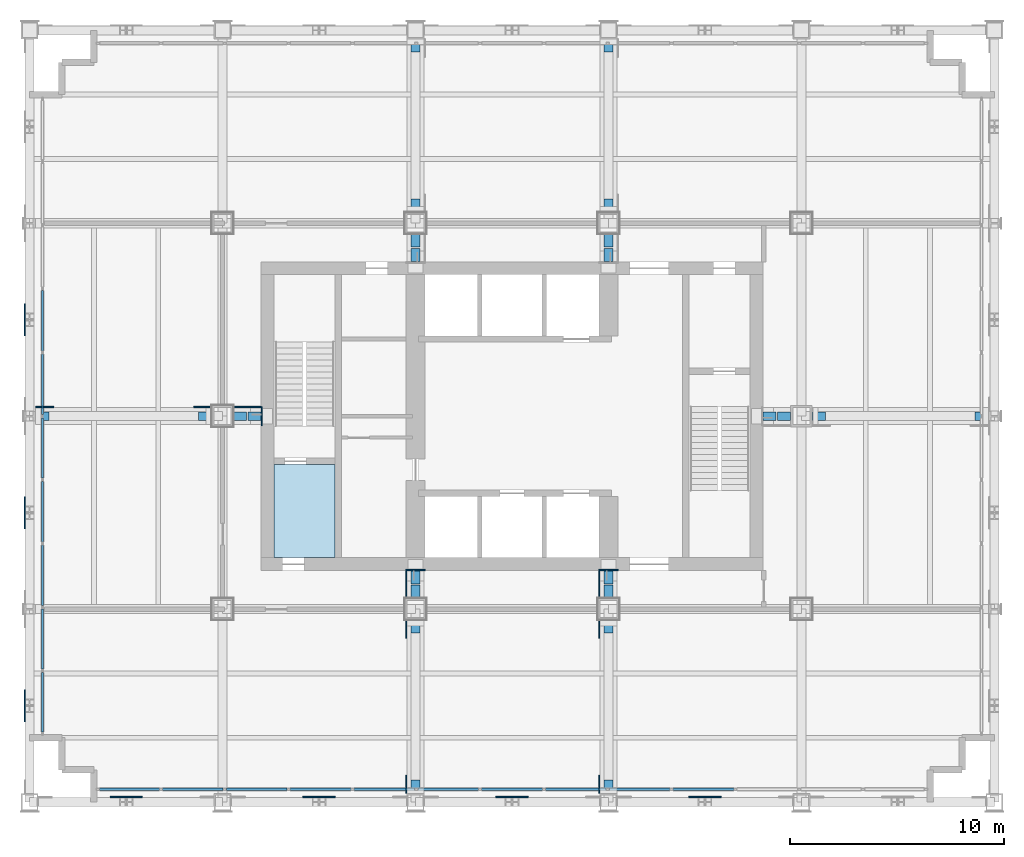
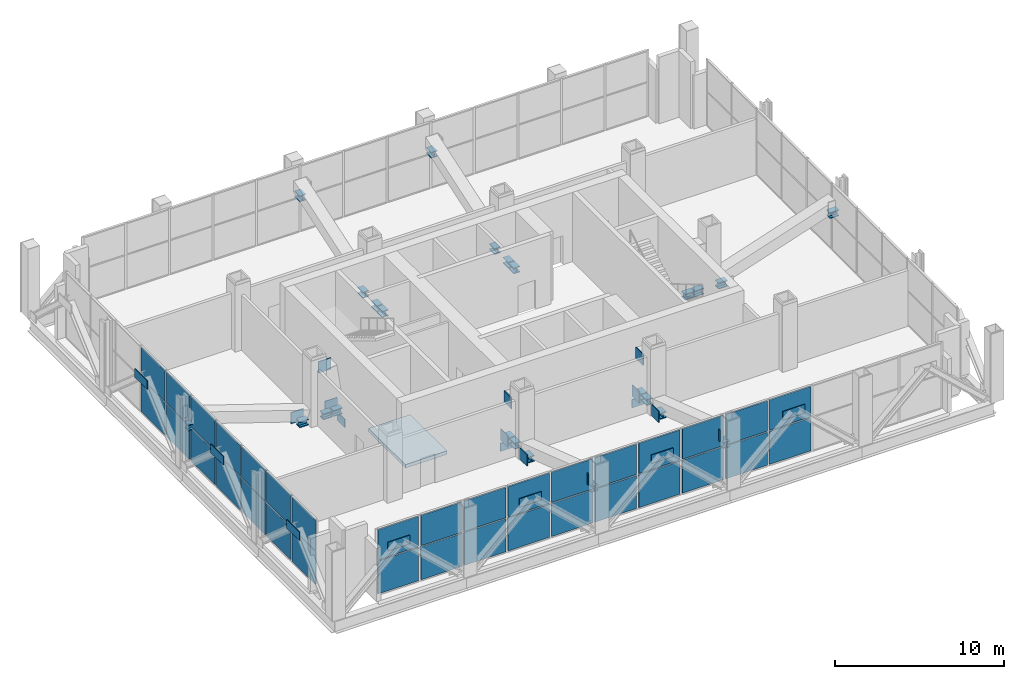
# One storey, part 9 of 16: 56 plates, 24 members, 1 slab, 2 elements without a shape of their own.
"""IFC4 building model written with IfcOpenShell, lengths in metres."""

from ifc_helpers import new_model, si_unit, direction, frame, origin, origin_2d, place, context, subcontext, project, spatial, polyline, rectangle, i_section, outline, extrude, material, layer, layer_set, material_profile, profile_set, type_object, element, aggregate, save


model = new_model("IFC4")

# Units and contexts
model_context = context("Model", 3, precision=1e-05, world=origin(), true_north=direction((0.0, 1.0)))
body_context = subcontext(model_context, "Body", "Model", "MODEL_VIEW")
ifc_project = project(units=[si_unit("LENGTHUNIT", "METRE"), si_unit("AREAUNIT", "SQUARE_METRE"), si_unit("VOLUMEUNIT", "CUBIC_METRE"), si_unit("PLANEANGLEUNIT", "RADIAN"), si_unit("MASSUNIT", "GRAM", prefix="KILO")], contexts=[model_context])

# Site, building, storey
site_placement = place(None, origin())
site = spatial("IfcSite", under=ifc_project, at=site_placement, CompositionType="ELEMENT")
building_placement = place(site_placement, origin())
building = spatial("IfcBuilding", under=site, at=building_placement, Name="Loomwork Tower", CompositionType="ELEMENT")
storey_placement = place(building_placement, frame((0.0, 0.0, 155.39990234375)))
storey = spatial("IfcBuildingStorey", under=building, at=storey_placement, Name="L42", CompositionType="ELEMENT", Elevation=155.39990234375)

# Members
ifc_material_1 = material(Name="Steel ASTM A992", Category="steel")
ifc_material_profile = material_profile(ifc_material_1, i_section(OverallWidth=0.411376953125, OverallDepth=0.434326171875, WebThickness=0.035888671875, FlangeThickness=0.057373046875, at=origin_2d()), Name="W14x311")
ifc_profile_set = profile_set([ifc_material_profile], Name="Steel ASTM A992")
member_type = type_object("IfcMemberType", Name="OUTRIGGER GUSSET CORBEL W14x311", PredefinedType="STRUT", material=ifc_profile_set)
member_1_placement = place(storey_placement, frame((0.2783203125, 18.0, 2.65283203125), z_axis=(1.0, 0.0, 0.0), x_axis=(0.0, 1.0, 0.0)))
element("IfcMember", 1, at=member_1_placement, inside=storey, type_object=member_type, Name="Outrigger upper gusset corbel F/2/0 L42", PredefinedType="STRUT", context=body_context, shape_type="SweptSolid", body=[
    extrude(i_section(OverallWidth=0.411376953125, OverallDepth=0.434326171875, WebThickness=0.035888671875, FlangeThickness=0.057373046875, at=origin_2d()), origin(), (0.0, 0.0, 1.0), 0.615966796875),
])
for number, where, z_axis, x_axis, name in (
    (2, (8.49609375, 18.0, 0.227294921875), (-1.0, 0.0, 0.0), (0.0, -1.0, 0.0), "Outrigger lower gusset corbel F/2/0 L42"),
    (3, (9.50390625, 18.0, 0.229248046875), (1.0, 0.0, 0.0), (0.0, 1.0, 0.0), "Outrigger upper gusset corbel F/3/1 L42"),
):
    element("IfcMember", number, at=place(storey_placement, frame(where, z_axis=z_axis, x_axis=x_axis)), inside=storey, type_object=member_type, Name=name, PredefinedType="STRUT", context=body_context, shape_type="SweptSolid", body=[
        extrude(i_section(OverallWidth=0.411376953125, OverallDepth=0.434326171875, WebThickness=0.035888671875, FlangeThickness=0.057373046875, at=origin_2d()), origin(), (0.0, 0.0, 1.0), 0.6162109375),
    ])
for number, where, z_axis, x_axis, name in (
    (4, (10.7958984375, 18.0, 0.227294921875), (-1.0, 0.0, 0.0), (0.0, -1.0, 0.0), "Outrigger lower gusset corbel F/3/1 L42"),
    (5, (44.7216796875, 18.0, 2.65283203125), (-1.0, 0.0, 0.0), (0.0, -1.0, 0.0), "Outrigger upper gusset corbel F/7/0 L42"),
):
    element("IfcMember", number, at=place(storey_placement, frame(where, z_axis=z_axis, x_axis=x_axis)), inside=storey, type_object=member_type, Name=name, PredefinedType="STRUT", context=body_context, shape_type="SweptSolid", body=[
        extrude(i_section(OverallWidth=0.411376953125, OverallDepth=0.434326171875, WebThickness=0.035888671875, FlangeThickness=0.057373046875, at=origin_2d()), origin(), (0.0, 0.0, 1.0), 0.615966796875),
    ])
for number, where, z_axis, x_axis, name in (
    (6, (36.50390625, 18.0, 0.227294921875), (1.0, 0.0, 0.0), (0.0, 1.0, 0.0), "Outrigger lower gusset corbel F/7/0 L42"),
    (7, (35.49609375, 18.0, 0.229248046875), (-1.0, 0.0, 0.0), (0.0, -1.0, 0.0), "Outrigger upper gusset corbel F/6/1 L42"),
):
    element("IfcMember", number, at=place(storey_placement, frame(where, z_axis=z_axis, x_axis=x_axis)), inside=storey, type_object=member_type, Name=name, PredefinedType="STRUT", context=body_context, shape_type="SweptSolid", body=[
        extrude(i_section(OverallWidth=0.411376953125, OverallDepth=0.434326171875, WebThickness=0.035888671875, FlangeThickness=0.057373046875, at=origin_2d()), origin(), (0.0, 0.0, 1.0), 0.6162109375),
    ])
for number, where, z_axis, x_axis, name in (
    (8, (34.2041015625, 18.0, 0.227294921875), (1.0, 0.0, 0.0), (0.0, 1.0, 0.0), "Outrigger lower gusset corbel F/6/1 L42"),
    (9, (18.0, 0.404052734375, 2.65087890625), (0.0, 1.0, 0.0), (-1.0, 0.0, 0.0), "Outrigger upper gusset corbel D/4/0 L42"),
):
    element("IfcMember", number, at=place(storey_placement, frame(where, z_axis=z_axis, x_axis=x_axis)), inside=storey, type_object=member_type, Name=name, PredefinedType="STRUT", context=body_context, shape_type="SweptSolid", body=[
        extrude(i_section(OverallWidth=0.411376953125, OverallDepth=0.434326171875, WebThickness=0.035888671875, FlangeThickness=0.057373046875, at=origin_2d()), origin(), (0.0, 0.0, 1.0), 0.615966796875),
    ])
for number, where, z_axis, x_axis, name in (
    (10, (18.0, 8.49609375, 0.227294921875), (0.0, -1.0, 0.0), (1.0, 0.0, 0.0), "Outrigger lower gusset corbel D/4/0 L42"),
    (11, (18.0, 9.50390625, 0.229248046875), (0.0, 1.0, 0.0), (-1.0, 0.0, 0.0), "Outrigger upper gusset corbel E/4/1 L42"),
):
    element("IfcMember", number, at=place(storey_placement, frame(where, z_axis=z_axis, x_axis=x_axis)), inside=storey, type_object=member_type, Name=name, PredefinedType="STRUT", context=body_context, shape_type="SweptSolid", body=[
        extrude(i_section(OverallWidth=0.411376953125, OverallDepth=0.434326171875, WebThickness=0.035888671875, FlangeThickness=0.057373046875, at=origin_2d()), origin(), (0.0, 0.0, 1.0), 0.6162109375),
    ])
for number, where, z_axis, x_axis, name in (
    (12, (18.0, 10.7958984375, 0.227294921875), (0.0, -1.0, 0.0), (1.0, 0.0, 0.0), "Outrigger lower gusset corbel E/4/1 L42"),
    (13, (18.0, 35.595947265625, 2.65087890625), (0.0, -1.0, 0.0), (1.0, 0.0, 0.0), "Outrigger upper gusset corbel H/4/0 L42"),
):
    element("IfcMember", number, at=place(storey_placement, frame(where, z_axis=z_axis, x_axis=x_axis)), inside=storey, type_object=member_type, Name=name, PredefinedType="STRUT", context=body_context, shape_type="SweptSolid", body=[
        extrude(i_section(OverallWidth=0.411376953125, OverallDepth=0.434326171875, WebThickness=0.035888671875, FlangeThickness=0.057373046875, at=origin_2d()), origin(), (0.0, 0.0, 1.0), 0.615966796875),
    ])
for number, where, z_axis, x_axis, name in (
    (14, (18.0, 27.50390625, 0.227294921875), (0.0, 1.0, 0.0), (-1.0, 0.0, 0.0), "Outrigger lower gusset corbel H/4/0 L42"),
    (15, (18.0, 26.49609375, 0.229248046875), (0.0, -1.0, 0.0), (1.0, 0.0, 0.0), "Outrigger upper gusset corbel G/4/1 L42"),
):
    element("IfcMember", number, at=place(storey_placement, frame(where, z_axis=z_axis, x_axis=x_axis)), inside=storey, type_object=member_type, Name=name, PredefinedType="STRUT", context=body_context, shape_type="SweptSolid", body=[
        extrude(i_section(OverallWidth=0.411376953125, OverallDepth=0.434326171875, WebThickness=0.035888671875, FlangeThickness=0.057373046875, at=origin_2d()), origin(), (0.0, 0.0, 1.0), 0.6162109375),
    ])
for number, where, z_axis, x_axis, name in (
    (16, (18.0, 25.2041015625, 0.227294921875), (0.0, 1.0, 0.0), (-1.0, 0.0, 0.0), "Outrigger lower gusset corbel G/4/1 L42"),
    (17, (27.0, 0.404052734375, 2.65087890625), (0.0, 1.0, 0.0), (-1.0, 0.0, 0.0), "Outrigger upper gusset corbel D/5/0 L42"),
):
    element("IfcMember", number, at=place(storey_placement, frame(where, z_axis=z_axis, x_axis=x_axis)), inside=storey, type_object=member_type, Name=name, PredefinedType="STRUT", context=body_context, shape_type="SweptSolid", body=[
        extrude(i_section(OverallWidth=0.411376953125, OverallDepth=0.434326171875, WebThickness=0.035888671875, FlangeThickness=0.057373046875, at=origin_2d()), origin(), (0.0, 0.0, 1.0), 0.615966796875),
    ])
for number, where, z_axis, x_axis, name in (
    (18, (27.0, 8.49609375, 0.227294921875), (0.0, -1.0, 0.0), (1.0, 0.0, 0.0), "Outrigger lower gusset corbel D/5/0 L42"),
    (19, (27.0, 9.50390625, 0.229248046875), (0.0, 1.0, 0.0), (-1.0, 0.0, 0.0), "Outrigger upper gusset corbel E/5/1 L42"),
):
    element("IfcMember", number, at=place(storey_placement, frame(where, z_axis=z_axis, x_axis=x_axis)), inside=storey, type_object=member_type, Name=name, PredefinedType="STRUT", context=body_context, shape_type="SweptSolid", body=[
        extrude(i_section(OverallWidth=0.411376953125, OverallDepth=0.434326171875, WebThickness=0.035888671875, FlangeThickness=0.057373046875, at=origin_2d()), origin(), (0.0, 0.0, 1.0), 0.6162109375),
    ])
for number, where, z_axis, x_axis, name in (
    (20, (27.0, 10.7958984375, 0.227294921875), (0.0, -1.0, 0.0), (1.0, 0.0, 0.0), "Outrigger lower gusset corbel E/5/1 L42"),
    (21, (27.0, 35.595947265625, 2.65087890625), (0.0, -1.0, 0.0), (1.0, 0.0, 0.0), "Outrigger upper gusset corbel H/5/0 L42"),
):
    element("IfcMember", number, at=place(storey_placement, frame(where, z_axis=z_axis, x_axis=x_axis)), inside=storey, type_object=member_type, Name=name, PredefinedType="STRUT", context=body_context, shape_type="SweptSolid", body=[
        extrude(i_section(OverallWidth=0.411376953125, OverallDepth=0.434326171875, WebThickness=0.035888671875, FlangeThickness=0.057373046875, at=origin_2d()), origin(), (0.0, 0.0, 1.0), 0.615966796875),
    ])
for number, where, z_axis, x_axis, name in (
    (22, (27.0, 27.50390625, 0.227294921875), (0.0, 1.0, 0.0), (-1.0, 0.0, 0.0), "Outrigger lower gusset corbel H/5/0 L42"),
    (23, (27.0, 26.49609375, 0.229248046875), (0.0, -1.0, 0.0), (1.0, 0.0, 0.0), "Outrigger upper gusset corbel G/5/1 L42"),
):
    element("IfcMember", number, at=place(storey_placement, frame(where, z_axis=z_axis, x_axis=x_axis)), inside=storey, type_object=member_type, Name=name, PredefinedType="STRUT", context=body_context, shape_type="SweptSolid", body=[
        extrude(i_section(OverallWidth=0.411376953125, OverallDepth=0.434326171875, WebThickness=0.035888671875, FlangeThickness=0.057373046875, at=origin_2d()), origin(), (0.0, 0.0, 1.0), 0.6162109375),
    ])
member_2_placement = place(storey_placement, frame((27.0, 25.2041015625, 0.227294921875), z_axis=(0.0, 1.0, 0.0), x_axis=(-1.0, 0.0, 0.0)))
element("IfcMember", 24, at=member_2_placement, inside=storey, type_object=member_type, Name="Outrigger lower gusset corbel G/5/1 L42", PredefinedType="STRUT", context=body_context, shape_type="SweptSolid", body=[
    extrude(i_section(OverallWidth=0.411376953125, OverallDepth=0.434326171875, WebThickness=0.035888671875, FlangeThickness=0.057373046875, at=origin_2d()), origin(), (0.0, 0.0, 1.0), 0.615966796875),
])

# Slab
ifc_material_2 = material(Name="Concrete 5000 psi (34 MPa) on composite metal deck", Category="concrete")
ifc_layer_1 = layer(ifc_material_2, 0.25)
ifc_layer_set_1 = layer_set([ifc_layer_1], Name="Floor slab 250")
slab_type = type_object("IfcSlabType", Name="Floor slab 250", PredefinedType="FLOOR", material=ifc_layer_set_1)
slab_placement = place(storey_placement, frame((0.0, 0.0, -0.25)))
element("IfcSlab", 25, at=slab_placement, inside=storey, type_object=slab_type, Name="Floor slab L42", PredefinedType="FLOOR", context=body_context, shape_type="SweptSolid", body=[
    extrude(outline(polyline([(14.25, 15.75), (14.25, 11.39990234375), (11.39990234375, 11.39990234375), (11.39990234375, 15.75), (14.25, 15.75)])), origin(), (0.0, 0.0, 1.0), 0.25),
])

# Curtain wall, plates
ifc_material_3 = material(Name="Aluminium louvre frame", Category="aluminium")
curtain_wall_type = type_object("IfcCurtainWallType", Name="Plant floor louvre screen", PredefinedType="NOTDEFINED", material=ifc_material_3)
curtain_wall_1_placement = place(storey_placement, origin())
curtain_wall_1 = element("IfcCurtainWall", 26, at=curtain_wall_1_placement, inside=storey, type_object=curtain_wall_type, Name="Plant floor louvre screen cw/S", PredefinedType="NOTDEFINED")
ifc_material_4 = material(Name="Aluminium louvre blade panel", Category="aluminium")
ifc_layer_2 = layer(ifc_material_4, 0.10009765625)
ifc_layer_set_2 = layer_set([ifc_layer_2], Name="Plant floor louvre screen panel")
plate_type_1 = type_object("IfcPlateType", Name="Plant floor louvre screen panel", PredefinedType="CURTAIN_PANEL", material=ifc_layer_set_2)
plate_1_placement = place(storey_placement, frame((4.658447265625, 0.60009765625, 0.080078125), z_axis=(0.0, 0.0, 1.0), x_axis=(1.0, 0.0, 0.0)))
plate_1 = element("IfcPlate", 27, at=plate_1_placement, type_object=plate_type_1, Name="CW4 panel 1.1", PredefinedType="CURTAIN_PANEL", context=body_context, shape_type="SweptSolid", body=[
    extrude(rectangle(XDim=2.786865234375, YDim=0.10009765625, at=origin_2d()), origin(), (0.0, 0.0, 1.0), 2.3798828125),
])
plate_2_placement = place(storey_placement, frame((4.658447265625, 0.60009765625, 2.5400390625), z_axis=(0.0, 0.0, 1.0), x_axis=(1.0, 0.0, 0.0)))
plate_2 = element("IfcPlate", 28, at=plate_2_placement, type_object=plate_type_1, Name="CW4 panel 1.2", PredefinedType="CURTAIN_PANEL", context=body_context, shape_type="SweptSolid", body=[
    extrude(rectangle(XDim=2.786865234375, YDim=0.10009765625, at=origin_2d()), origin(), (0.0, 0.0, 1.0), 2.179931640625),
])
plate_3_placement = place(storey_placement, frame((7.615478515625, 0.60009765625, 0.080078125), z_axis=(0.0, 0.0, 1.0), x_axis=(1.0, 0.0, 0.0)))
plate_3 = element("IfcPlate", 29, at=plate_3_placement, type_object=plate_type_1, Name="CW4 panel 2.1", PredefinedType="CURTAIN_PANEL", context=body_context, shape_type="SweptSolid", body=[
    extrude(rectangle(XDim=2.826904296875, YDim=0.10009765625, at=origin_2d()), origin(), (0.0, 0.0, 1.0), 2.3798828125),
])
plate_4_placement = place(storey_placement, frame((7.615478515625, 0.60009765625, 2.5400390625), z_axis=(0.0, 0.0, 1.0), x_axis=(1.0, 0.0, 0.0)))
plate_4 = element("IfcPlate", 30, at=plate_4_placement, type_object=plate_type_1, Name="CW4 panel 2.2", PredefinedType="CURTAIN_PANEL", context=body_context, shape_type="SweptSolid", body=[
    extrude(rectangle(XDim=2.826904296875, YDim=0.10009765625, at=origin_2d()), origin(), (0.0, 0.0, 1.0), 2.179931640625),
])
plate_5_placement = place(storey_placement, frame((10.59228515625, 0.60009765625, 0.080078125), z_axis=(0.0, 0.0, 1.0), x_axis=(1.0, 0.0, 0.0)))
plate_5 = element("IfcPlate", 31, at=plate_5_placement, type_object=plate_type_1, Name="CW4 panel 3.1", PredefinedType="CURTAIN_PANEL", context=body_context, shape_type="SweptSolid", body=[
    extrude(rectangle(XDim=2.826904296875, YDim=0.10009765625, at=origin_2d()), origin(), (0.0, 0.0, 1.0), 2.3798828125),
])
plate_6_placement = place(storey_placement, frame((10.59228515625, 0.60009765625, 2.5400390625), z_axis=(0.0, 0.0, 1.0), x_axis=(1.0, 0.0, 0.0)))
plate_6 = element("IfcPlate", 32, at=plate_6_placement, type_object=plate_type_1, Name="CW4 panel 3.2", PredefinedType="CURTAIN_PANEL", context=body_context, shape_type="SweptSolid", body=[
    extrude(rectangle(XDim=2.826904296875, YDim=0.10009765625, at=origin_2d()), origin(), (0.0, 0.0, 1.0), 2.179931640625),
])
plate_7_placement = place(storey_placement, frame((13.5693359375, 0.60009765625, 0.080078125), z_axis=(0.0, 0.0, 1.0), x_axis=(1.0, 0.0, 0.0)))
plate_7 = element("IfcPlate", 33, at=plate_7_placement, type_object=plate_type_1, Name="CW4 panel 4.1", PredefinedType="CURTAIN_PANEL", context=body_context, shape_type="SweptSolid", body=[
    extrude(rectangle(XDim=2.826904296875, YDim=0.10009765625, at=origin_2d()), origin(), (0.0, 0.0, 1.0), 2.3798828125),
])
plate_8_placement = place(storey_placement, frame((13.5693359375, 0.60009765625, 2.5400390625), z_axis=(0.0, 0.0, 1.0), x_axis=(1.0, 0.0, 0.0)))
plate_8 = element("IfcPlate", 34, at=plate_8_placement, type_object=plate_type_1, Name="CW4 panel 4.2", PredefinedType="CURTAIN_PANEL", context=body_context, shape_type="SweptSolid", body=[
    extrude(rectangle(XDim=2.826904296875, YDim=0.10009765625, at=origin_2d()), origin(), (0.0, 0.0, 1.0), 2.179931640625),
])
plate_9_placement = place(storey_placement, frame((16.546142578125, 0.60009765625, 0.080078125), z_axis=(0.0, 0.0, 1.0), x_axis=(1.0, 0.0, 0.0)))
plate_9 = element("IfcPlate", 35, at=plate_9_placement, type_object=plate_type_1, Name="CW4 panel 5.1", PredefinedType="CURTAIN_PANEL", context=body_context, shape_type="SweptSolid", body=[
    extrude(rectangle(XDim=2.826904296875, YDim=0.10009765625, at=origin_2d()), origin(), (0.0, 0.0, 1.0), 2.3798828125),
])
plate_10_placement = place(storey_placement, frame((16.546142578125, 0.60009765625, 2.5400390625), z_axis=(0.0, 0.0, 1.0), x_axis=(1.0, 0.0, 0.0)))
plate_10 = element("IfcPlate", 36, at=plate_10_placement, type_object=plate_type_1, Name="CW4 panel 5.2", PredefinedType="CURTAIN_PANEL", context=body_context, shape_type="SweptSolid", body=[
    extrude(rectangle(XDim=2.826904296875, YDim=0.10009765625, at=origin_2d()), origin(), (0.0, 0.0, 1.0), 2.179931640625),
])
plate_11_placement = place(storey_placement, frame((19.523193359375, 0.60009765625, 0.080078125), z_axis=(0.0, 0.0, 1.0), x_axis=(1.0, 0.0, 0.0)))
plate_11 = element("IfcPlate", 37, at=plate_11_placement, type_object=plate_type_1, Name="CW4 panel 6.1", PredefinedType="CURTAIN_PANEL", context=body_context, shape_type="SweptSolid", body=[
    extrude(rectangle(XDim=2.826904296875, YDim=0.10009765625, at=origin_2d()), origin(), (0.0, 0.0, 1.0), 2.3798828125),
])
plate_12_placement = place(storey_placement, frame((19.523193359375, 0.60009765625, 2.5400390625), z_axis=(0.0, 0.0, 1.0), x_axis=(1.0, 0.0, 0.0)))
plate_12 = element("IfcPlate", 38, at=plate_12_placement, type_object=plate_type_1, Name="CW4 panel 6.2", PredefinedType="CURTAIN_PANEL", context=body_context, shape_type="SweptSolid", body=[
    extrude(rectangle(XDim=2.826904296875, YDim=0.10009765625, at=origin_2d()), origin(), (0.0, 0.0, 1.0), 2.179931640625),
])
plate_13_placement = place(storey_placement, frame((22.5, 0.60009765625, 0.080078125), z_axis=(0.0, 0.0, 1.0), x_axis=(1.0, 0.0, 0.0)))
plate_13 = element("IfcPlate", 39, at=plate_13_placement, type_object=plate_type_1, Name="CW4 panel 7.1", PredefinedType="CURTAIN_PANEL", context=body_context, shape_type="SweptSolid", body=[
    extrude(rectangle(XDim=2.826904296875, YDim=0.10009765625, at=origin_2d()), origin(), (0.0, 0.0, 1.0), 2.3798828125),
])
plate_14_placement = place(storey_placement, frame((22.5, 0.60009765625, 2.5400390625), z_axis=(0.0, 0.0, 1.0), x_axis=(1.0, 0.0, 0.0)))
plate_14 = element("IfcPlate", 40, at=plate_14_placement, type_object=plate_type_1, Name="CW4 panel 7.2", PredefinedType="CURTAIN_PANEL", context=body_context, shape_type="SweptSolid", body=[
    extrude(rectangle(XDim=2.826904296875, YDim=0.10009765625, at=origin_2d()), origin(), (0.0, 0.0, 1.0), 2.179931640625),
])
plate_15_placement = place(storey_placement, frame((25.476806640625, 0.60009765625, 0.080078125), z_axis=(0.0, 0.0, 1.0), x_axis=(1.0, 0.0, 0.0)))
plate_15 = element("IfcPlate", 41, at=plate_15_placement, type_object=plate_type_1, Name="CW4 panel 8.1", PredefinedType="CURTAIN_PANEL", context=body_context, shape_type="SweptSolid", body=[
    extrude(rectangle(XDim=2.826904296875, YDim=0.10009765625, at=origin_2d()), origin(), (0.0, 0.0, 1.0), 2.3798828125),
])
plate_16_placement = place(storey_placement, frame((25.476806640625, 0.60009765625, 2.5400390625), z_axis=(0.0, 0.0, 1.0), x_axis=(1.0, 0.0, 0.0)))
plate_16 = element("IfcPlate", 42, at=plate_16_placement, type_object=plate_type_1, Name="CW4 panel 8.2", PredefinedType="CURTAIN_PANEL", context=body_context, shape_type="SweptSolid", body=[
    extrude(rectangle(XDim=2.826904296875, YDim=0.10009765625, at=origin_2d()), origin(), (0.0, 0.0, 1.0), 2.179931640625),
])
plate_17_placement = place(storey_placement, frame((28.453857421875, 0.60009765625, 0.080078125), z_axis=(0.0, 0.0, 1.0), x_axis=(1.0, 0.0, 0.0)))
plate_17 = element("IfcPlate", 43, at=plate_17_placement, type_object=plate_type_1, Name="CW4 panel 9.1", PredefinedType="CURTAIN_PANEL", context=body_context, shape_type="SweptSolid", body=[
    extrude(rectangle(XDim=2.826904296875, YDim=0.10009765625, at=origin_2d()), origin(), (0.0, 0.0, 1.0), 2.3798828125),
])
plate_18_placement = place(storey_placement, frame((28.453857421875, 0.60009765625, 2.5400390625), z_axis=(0.0, 0.0, 1.0), x_axis=(1.0, 0.0, 0.0)))
plate_18 = element("IfcPlate", 44, at=plate_18_placement, type_object=plate_type_1, Name="CW4 panel 9.2", PredefinedType="CURTAIN_PANEL", context=body_context, shape_type="SweptSolid", body=[
    extrude(rectangle(XDim=2.826904296875, YDim=0.10009765625, at=origin_2d()), origin(), (0.0, 0.0, 1.0), 2.179931640625),
])
plate_19_placement = place(storey_placement, frame((31.4306640625, 0.60009765625, 0.080078125), z_axis=(0.0, 0.0, 1.0), x_axis=(1.0, 0.0, 0.0)))
plate_19 = element("IfcPlate", 45, at=plate_19_placement, type_object=plate_type_1, Name="CW4 panel 10.1", PredefinedType="CURTAIN_PANEL", context=body_context, shape_type="SweptSolid", body=[
    extrude(rectangle(XDim=2.826904296875, YDim=0.10009765625, at=origin_2d()), origin(), (0.0, 0.0, 1.0), 2.3798828125),
])
plate_20_placement = place(storey_placement, frame((31.4306640625, 0.60009765625, 2.5400390625), z_axis=(0.0, 0.0, 1.0), x_axis=(1.0, 0.0, 0.0)))
plate_20 = element("IfcPlate", 46, at=plate_20_placement, type_object=plate_type_1, Name="CW4 panel 10.2", PredefinedType="CURTAIN_PANEL", context=body_context, shape_type="SweptSolid", body=[
    extrude(rectangle(XDim=2.826904296875, YDim=0.10009765625, at=origin_2d()), origin(), (0.0, 0.0, 1.0), 2.179931640625),
])
aggregate(curtain_wall_1, [plate_1, plate_2, plate_3, plate_4, plate_5, plate_6, plate_7, plate_8, plate_9, plate_10, plate_11, plate_12, plate_13, plate_14, plate_15, plate_16, plate_17, plate_18, plate_19, plate_20])

curtain_wall_2_placement = place(storey_placement, origin())
curtain_wall_2 = element("IfcCurtainWall", 47, at=curtain_wall_2_placement, inside=storey, type_object=curtain_wall_type, Name="Plant floor louvre screen cw/W", PredefinedType="NOTDEFINED")
plate_21_placement = place(storey_placement, frame((0.60009765625, 22.455078125, 0.080078125), z_axis=(0.0, 0.0, 1.0), x_axis=(0.0, -1.0, 0.0)))
plate_21 = element("IfcPlate", 48, at=plate_21_placement, type_object=plate_type_1, Name="CW4 panel 4.1", PredefinedType="CURTAIN_PANEL", context=body_context, shape_type="SweptSolid", body=[
    extrude(rectangle(XDim=2.820068359375, YDim=0.10009765625, at=origin_2d()), origin(), (0.0, 0.0, 1.0), 2.3798828125),
])
plate_22_placement = place(storey_placement, frame((0.60009765625, 22.455078125, 2.5400390625), z_axis=(0.0, 0.0, 1.0), x_axis=(0.0, -1.0, 0.0)))
plate_22 = element("IfcPlate", 49, at=plate_22_placement, type_object=plate_type_1, Name="CW4 panel 4.2", PredefinedType="CURTAIN_PANEL", context=body_context, shape_type="SweptSolid", body=[
    extrude(rectangle(XDim=2.820068359375, YDim=0.10009765625, at=origin_2d()), origin(), (0.0, 0.0, 1.0), 2.179931640625),
])
plate_23_placement = place(storey_placement, frame((0.60009765625, 19.485107421875, 0.080078125), z_axis=(0.0, 0.0, 1.0), x_axis=(0.0, -1.0, 0.0)))
plate_23 = element("IfcPlate", 50, at=plate_23_placement, type_object=plate_type_1, Name="CW4 panel 5.1", PredefinedType="CURTAIN_PANEL", context=body_context, shape_type="SweptSolid", body=[
    extrude(rectangle(XDim=2.820068359375, YDim=0.10009765625, at=origin_2d()), origin(), (0.0, 0.0, 1.0), 2.3798828125),
])
plate_24_placement = place(storey_placement, frame((0.60009765625, 19.485107421875, 2.5400390625), z_axis=(0.0, 0.0, 1.0), x_axis=(0.0, -1.0, 0.0)))
plate_24 = element("IfcPlate", 51, at=plate_24_placement, type_object=plate_type_1, Name="CW4 panel 5.2", PredefinedType="CURTAIN_PANEL", context=body_context, shape_type="SweptSolid", body=[
    extrude(rectangle(XDim=2.820068359375, YDim=0.10009765625, at=origin_2d()), origin(), (0.0, 0.0, 1.0), 2.179931640625),
])
plate_25_placement = place(storey_placement, frame((0.60009765625, 16.514892578125, 0.080078125), z_axis=(0.0, 0.0, 1.0), x_axis=(0.0, -1.0, 0.0)))
plate_25 = element("IfcPlate", 52, at=plate_25_placement, type_object=plate_type_1, Name="CW4 panel 6.1", PredefinedType="CURTAIN_PANEL", context=body_context, shape_type="SweptSolid", body=[
    extrude(rectangle(XDim=2.820068359375, YDim=0.10009765625, at=origin_2d()), origin(), (0.0, 0.0, 1.0), 2.3798828125),
])
plate_26_placement = place(storey_placement, frame((0.60009765625, 16.514892578125, 2.5400390625), z_axis=(0.0, 0.0, 1.0), x_axis=(0.0, -1.0, 0.0)))
plate_26 = element("IfcPlate", 53, at=plate_26_placement, type_object=plate_type_1, Name="CW4 panel 6.2", PredefinedType="CURTAIN_PANEL", context=body_context, shape_type="SweptSolid", body=[
    extrude(rectangle(XDim=2.820068359375, YDim=0.10009765625, at=origin_2d()), origin(), (0.0, 0.0, 1.0), 2.179931640625),
])
plate_27_placement = place(storey_placement, frame((0.60009765625, 13.544921875, 0.080078125), z_axis=(0.0, 0.0, 1.0), x_axis=(0.0, -1.0, 0.0)))
plate_27 = element("IfcPlate", 54, at=plate_27_placement, type_object=plate_type_1, Name="CW4 panel 7.1", PredefinedType="CURTAIN_PANEL", context=body_context, shape_type="SweptSolid", body=[
    extrude(rectangle(XDim=2.820068359375, YDim=0.10009765625, at=origin_2d()), origin(), (0.0, 0.0, 1.0), 2.3798828125),
])
plate_28_placement = place(storey_placement, frame((0.60009765625, 13.544921875, 2.5400390625), z_axis=(0.0, 0.0, 1.0), x_axis=(0.0, -1.0, 0.0)))
plate_28 = element("IfcPlate", 55, at=plate_28_placement, type_object=plate_type_1, Name="CW4 panel 7.2", PredefinedType="CURTAIN_PANEL", context=body_context, shape_type="SweptSolid", body=[
    extrude(rectangle(XDim=2.820068359375, YDim=0.10009765625, at=origin_2d()), origin(), (0.0, 0.0, 1.0), 2.179931640625),
])
plate_29_placement = place(storey_placement, frame((0.60009765625, 10.574951171875, 0.080078125), z_axis=(0.0, 0.0, 1.0), x_axis=(0.0, -1.0, 0.0)))
plate_29 = element("IfcPlate", 56, at=plate_29_placement, type_object=plate_type_1, Name="CW4 panel 8.1", PredefinedType="CURTAIN_PANEL", context=body_context, shape_type="SweptSolid", body=[
    extrude(rectangle(XDim=2.820068359375, YDim=0.10009765625, at=origin_2d()), origin(), (0.0, 0.0, 1.0), 2.3798828125),
])
plate_30_placement = place(storey_placement, frame((0.60009765625, 10.574951171875, 2.5400390625), z_axis=(0.0, 0.0, 1.0), x_axis=(0.0, -1.0, 0.0)))
plate_30 = element("IfcPlate", 57, at=plate_30_placement, type_object=plate_type_1, Name="CW4 panel 8.2", PredefinedType="CURTAIN_PANEL", context=body_context, shape_type="SweptSolid", body=[
    extrude(rectangle(XDim=2.820068359375, YDim=0.10009765625, at=origin_2d()), origin(), (0.0, 0.0, 1.0), 2.179931640625),
])
plate_31_placement = place(storey_placement, frame((0.60009765625, 7.60498046875, 0.080078125), z_axis=(0.0, 0.0, 1.0), x_axis=(0.0, -1.0, 0.0)))
plate_31 = element("IfcPlate", 58, at=plate_31_placement, type_object=plate_type_1, Name="CW4 panel 9.1", PredefinedType="CURTAIN_PANEL", context=body_context, shape_type="SweptSolid", body=[
    extrude(rectangle(XDim=2.820068359375, YDim=0.10009765625, at=origin_2d()), origin(), (0.0, 0.0, 1.0), 2.3798828125),
])
plate_32_placement = place(storey_placement, frame((0.60009765625, 7.60498046875, 2.5400390625), z_axis=(0.0, 0.0, 1.0), x_axis=(0.0, -1.0, 0.0)))
plate_32 = element("IfcPlate", 59, at=plate_32_placement, type_object=plate_type_1, Name="CW4 panel 9.2", PredefinedType="CURTAIN_PANEL", context=body_context, shape_type="SweptSolid", body=[
    extrude(rectangle(XDim=2.820068359375, YDim=0.10009765625, at=origin_2d()), origin(), (0.0, 0.0, 1.0), 2.179931640625),
])
plate_33_placement = place(storey_placement, frame((0.60009765625, 4.655029296875, 0.080078125), z_axis=(0.0, 0.0, 1.0), x_axis=(0.0, -1.0, 0.0)))
plate_33 = element("IfcPlate", 60, at=plate_33_placement, type_object=plate_type_1, Name="CW4 panel 10.1", PredefinedType="CURTAIN_PANEL", context=body_context, shape_type="SweptSolid", body=[
    extrude(rectangle(XDim=2.780029296875, YDim=0.10009765625, at=origin_2d()), origin(), (0.0, 0.0, 1.0), 2.3798828125),
])
plate_34_placement = place(storey_placement, frame((0.60009765625, 4.655029296875, 2.5400390625), z_axis=(0.0, 0.0, 1.0), x_axis=(0.0, -1.0, 0.0)))
plate_34 = element("IfcPlate", 61, at=plate_34_placement, type_object=plate_type_1, Name="CW4 panel 10.2", PredefinedType="CURTAIN_PANEL", context=body_context, shape_type="SweptSolid", body=[
    extrude(rectangle(XDim=2.780029296875, YDim=0.10009765625, at=origin_2d()), origin(), (0.0, 0.0, 1.0), 2.179931640625),
])
aggregate(curtain_wall_2, [plate_21, plate_22, plate_23, plate_24, plate_25, plate_26, plate_27, plate_28, plate_29, plate_30, plate_31, plate_32, plate_33, plate_34])

# Plates
ifc_material_5 = material(Name="Steel ASTM A572 Grade 50 plate", Category="steel")
ifc_layer_3 = layer(ifc_material_5, 0.06005859375)
ifc_layer_set_3 = layer_set([ifc_layer_3], Name="OUTRIGGER CAST-IN CORE PLATE 60")
plate_type_2 = type_object("IfcPlateType", Name="OUTRIGGER CAST-IN CORE PLATE 60", PredefinedType="SHEET", material=ifc_layer_set_3)
for number, where, z_axis, x_axis, name in (
    (62, (27.0, 10.830078125, -0.8447265625), (0.0, 0.0, 1.0), (1.0, 0.0, 0.0), "Outrigger cast-in core plate 27,9-27,11.1 L42"),
    (63, (18.0, 10.830078125, -0.8447265625), (0.0, 0.0, 1.0), (1.0, 0.0, 0.0), "Outrigger cast-in core plate 18,9-18,11.1 L42"),
    (64, (10.830078125, 18.0, -0.8447265625), (0.0, 0.0, 1.0), (0.0, 1.0, 0.0), "Outrigger cast-in core plate 9,18-11.1,18 L42"),
):
    element("IfcPlate", number, at=place(storey_placement, frame(where, z_axis=z_axis, x_axis=x_axis)), inside=storey, type_object=plate_type_2, Name=name, PredefinedType="SHEET", context=body_context, shape_type="SweptSolid", body=[
        extrude(rectangle(XDim=0.89990234375, YDim=0.06005859375, at=origin_2d()), origin(), (0.0, 0.0, 1.0), 0.590087890625),
    ])
ifc_material_6 = material(Name="Steel ASTM A572 Grade 50 plate", Category="steel")
ifc_layer_4 = layer(ifc_material_6, 0.050048828125)
ifc_layer_set_4 = layer_set([ifc_layer_4], Name="BELT TRUSS APEX GUSSET PLATE 50")
plate_type_3 = type_object("IfcPlateType", Name="BELT TRUSS APEX GUSSET PLATE 50", PredefinedType="SHEET", material=ifc_layer_set_4)
for number, where, z_axis, x_axis, name in (
    (65, (4.5, 0.235595703125, 3.230712890625), (0.0, 0.0, 1.0), (1.0, 0.0, 0.0), "Belt truss chevron apex gusset plate D/2-D/3 L42"),
    (66, (-0.235595703125, 4.5, 3.230712890625), (0.0, 0.0, 1.0), (0.0, 1.0, 0.0), "Belt truss chevron apex gusset plate D/2-E/2 L42"),
    (67, (13.5, 0.235595703125, 3.230712890625), (0.0, 0.0, 1.0), (1.0, 0.0, 0.0), "Belt truss chevron apex gusset plate D/3-D/4 L42"),
    (68, (22.5, 0.235595703125, 3.230712890625), (0.0, 0.0, 1.0), (1.0, 0.0, 0.0), "Belt truss chevron apex gusset plate D/4-D/5 L42"),
    (69, (31.5, 0.235595703125, 3.230712890625), (0.0, 0.0, 1.0), (1.0, 0.0, 0.0), "Belt truss chevron apex gusset plate D/5-D/6 L42"),
    (70, (-0.235595703125, 13.5, 3.230712890625), (0.0, 0.0, 1.0), (0.0, 1.0, 0.0), "Belt truss chevron apex gusset plate E/2-F/2 L42"),
    (71, (-0.235595703125, 22.5, 3.230712890625), (0.0, 0.0, 1.0), (0.0, 1.0, 0.0), "Belt truss chevron apex gusset plate F/2-G/2 L42"),
):
    element("IfcPlate", number, at=place(storey_placement, frame(where, z_axis=z_axis, x_axis=x_axis)), inside=storey, type_object=plate_type_3, Name=name, PredefinedType="SHEET", context=body_context, shape_type="SweptSolid", body=[
        extrude(rectangle(XDim=1.5, YDim=0.050048828125, at=origin_2d()), origin(), (0.0, 0.0, 1.0), 0.6201171875),
    ])
ifc_material_7 = material(Name="Steel ASTM A572 Grade 50 plate", Category="steel")
ifc_layer_5 = layer(ifc_material_7, 0.06005859375)
ifc_layer_set_5 = layer_set([ifc_layer_5], Name="OUTRIGGER GUSSET PLATE 60")
plate_type_4 = type_object("IfcPlateType", Name="OUTRIGGER GUSSET PLATE 60", PredefinedType="SHEET", material=ifc_layer_set_5)
for number, where, z_axis, x_axis, name in (
    (72, (0.703369140625, 18.430908203125, 3.0224609375), (0.0, 0.0, 1.0), (1.0, 0.0, 0.0), "Outrigger top gusset plate F/2/0 L42"),
    (73, (8.071044921875, 18.430908203125, 0.01025390625), (0.0, 0.0, 1.0), (1.0, 0.0, 0.0), "Outrigger bot gusset plate F/2/0 L42"),
    (74, (9.928955078125, 18.430908203125, 3.0224609375), (0.0, 0.0, 1.0), (1.0, 0.0, 0.0), "Outrigger top gusset plate F/3/1 L42"),
    (75, (10.37109375, 18.430908203125, 0.01025390625), (0.0, 0.0, 1.0), (1.0, 0.0, 0.0), "Outrigger bot gusset plate F/3/1 L42"),
    (76, (17.569091796875, 0.8291015625, 3.0224609375), (0.0, 0.0, 1.0), (0.0, 1.0, 0.0), "Outrigger top gusset plate D/4/0 L42"),
    (77, (17.569091796875, 8.071044921875, 0.01025390625), (0.0, 0.0, 1.0), (0.0, 1.0, 0.0), "Outrigger bot gusset plate D/4/0 L42"),
    (78, (17.569091796875, 9.928955078125, 3.0224609375), (0.0, 0.0, 1.0), (0.0, 1.0, 0.0), "Outrigger top gusset plate E/4/1 L42"),
    (79, (17.569091796875, 10.37109375, 0.01025390625), (0.0, 0.0, 1.0), (0.0, 1.0, 0.0), "Outrigger bot gusset plate E/4/1 L42"),
    (80, (26.569091796875, 0.8291015625, 3.0224609375), (0.0, 0.0, 1.0), (0.0, 1.0, 0.0), "Outrigger top gusset plate D/5/0 L42"),
    (81, (26.569091796875, 8.071044921875, 0.01025390625), (0.0, 0.0, 1.0), (0.0, 1.0, 0.0), "Outrigger bot gusset plate D/5/0 L42"),
    (82, (26.569091796875, 9.928955078125, 3.0224609375), (0.0, 0.0, 1.0), (0.0, 1.0, 0.0), "Outrigger top gusset plate E/5/1 L42"),
    (83, (26.569091796875, 10.37109375, 0.01025390625), (0.0, 0.0, 1.0), (0.0, 1.0, 0.0), "Outrigger bot gusset plate E/5/1 L42"),
):
    element("IfcPlate", number, at=place(storey_placement, frame(where, z_axis=z_axis, x_axis=x_axis)), inside=storey, type_object=plate_type_4, Name=name, PredefinedType="SHEET", context=body_context, shape_type="SweptSolid", body=[
        extrude(rectangle(XDim=0.85009765625, YDim=0.06005859375, at=origin_2d()), origin(), (0.0, 0.0, 1.0), 0.820068359375),
    ])

save(model, "model.ifc")
